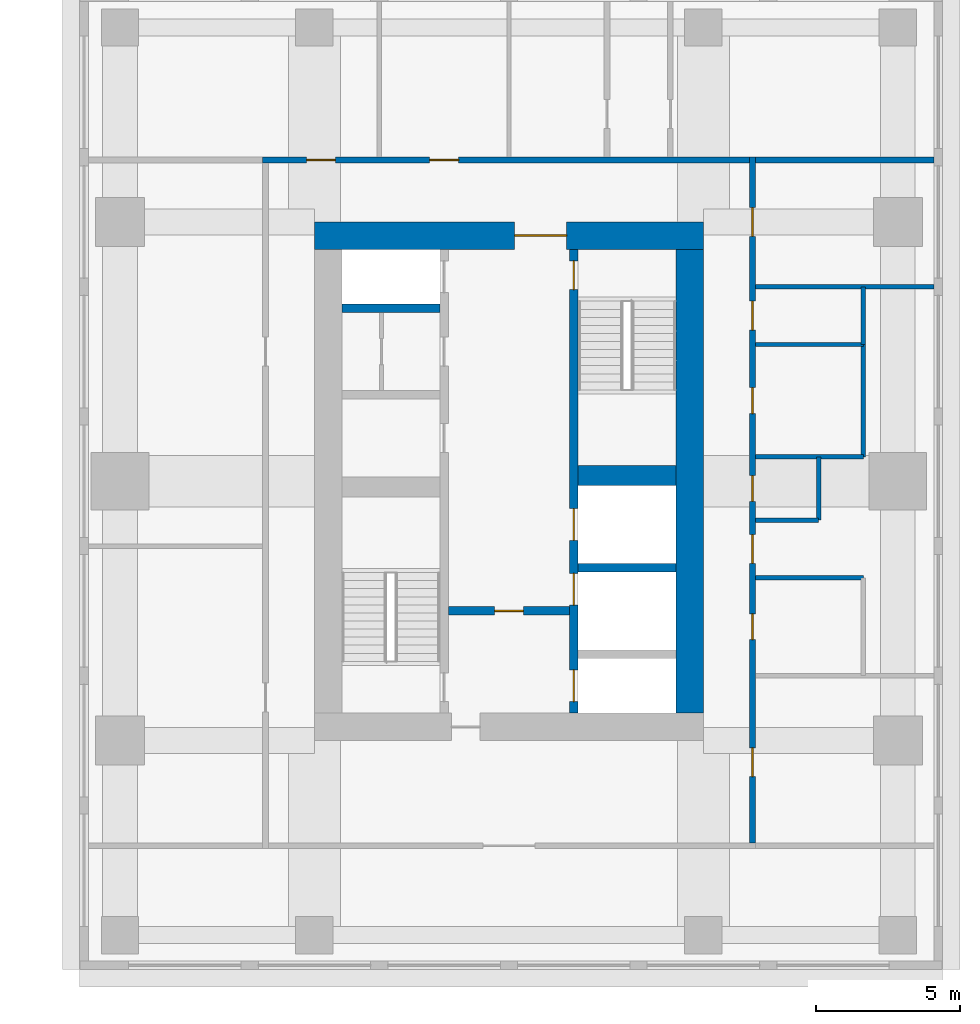
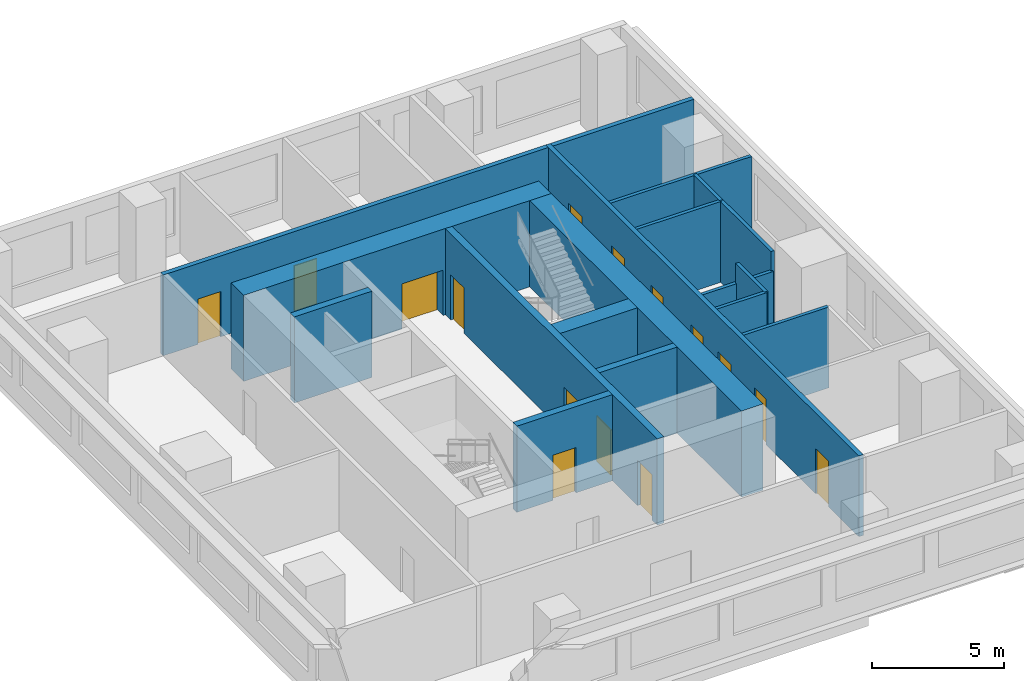
# One storey, part 7 of 11: 18 walls, 15 doors, 15 openings.
"""IFC4 building model written with IfcOpenShell, lengths in metres."""

from ifc_helpers import new_model, si_unit, direction, frame, frame_2d, origin, place, context, subcontext, project, spatial, rectangle, extrude, material, layer, layer_set, type_object, element, fill, save


model = new_model("IFC4")

# Units and contexts
model_context = context("Model", 3, precision=1e-05, world=origin(), true_north=direction((0.0, 1.0)))
body_context = subcontext(model_context, "Body", "Model", "MODEL_VIEW")
ifc_project = project(units=[si_unit("LENGTHUNIT", "METRE"), si_unit("AREAUNIT", "SQUARE_METRE"), si_unit("VOLUMEUNIT", "CUBIC_METRE"), si_unit("PLANEANGLEUNIT", "RADIAN"), si_unit("MASSUNIT", "GRAM", prefix="KILO")], contexts=[model_context])

# Site, building, storey
site_placement = place(None, origin())
site = spatial("IfcSite", under=ifc_project, at=site_placement, CompositionType="ELEMENT")
building_placement = place(site_placement, origin())
building = spatial("IfcBuilding", under=site, at=building_placement, Name="Namib Vertical Campus", CompositionType="ELEMENT")
storey_placement = place(building_placement, frame((0.0, 0.0, 213.0)))
storey = spatial("IfcBuildingStorey", under=building, at=storey_placement, Name="L50", CompositionType="ELEMENT", Elevation=213.0)

# Wall, openings, doors
ifc_material_1 = material(Name="Concrete C60/75", Category="concrete")
ifc_layer_1 = layer(ifc_material_1, 0.300048828125)
ifc_layer_set_1 = layer_set([ifc_layer_1], Name="Concrete C60/75")
wall_type_1 = type_object("IfcWallType", Name="Core inner wall 300", PredefinedType="SHEAR", material=ifc_layer_set_1)
wall_1_placement = place(storey_placement, frame((83.25, 12.199951171875, 0.0), z_axis=(0.0, 0.0, 1.0), x_axis=(0.0, 1.0, 0.0)))
wall_1 = element("IfcWall", 1, at=wall_1_placement, inside=storey, type_object=wall_type_1, Name="Core inner wall B L50 W2", PredefinedType="SHEAR", context=body_context, shape_type="SweptSolid", body=[
    extrude(rectangle(XDim=16.10009765625, YDim=0.300048828125, at=frame_2d((8.050048828125, 0.0))), origin(), (0.0, 0.0, 1.0), 4.0),
])
opening_1_placement = place(wall_1_placement, frame((14.699951171875, 0.0, 0.0)))
opening_1 = element("IfcOpeningElement", 2, at=opening_1_placement, cuts=wall_1, Name="Opening FD1", PredefinedType="OPENING", context=body_context, shape_type="SweptSolid", body=[
    extrude(rectangle(XDim=1.0, YDim=2.10009765625, at=frame_2d((0.5, 1.050048828125))), frame((0.0, 0.159912109375, 0.0), z_axis=(0.0, -1.0, 0.0), x_axis=(1.0, 0.0, 0.0)), (0.0, 0.0, 1.0), 0.320068359375),
])
opening_2_placement = place(wall_1_placement, frame((0.39990234375, 0.0, 0.0)))
opening_2 = element("IfcOpeningElement", 3, at=opening_2_placement, cuts=wall_1, Name="Opening LD1", PredefinedType="OPENING", context=body_context, shape_type="SweptSolid", body=[
    extrude(rectangle(XDim=1.10009765625, YDim=2.10009765625, at=frame_2d((0.550048828125, 1.050048828125))), frame((0.0, 0.159912109375, 0.0), z_axis=(0.0, -1.0, 0.0), x_axis=(1.0, 0.0, 0.0)), (0.0, 0.0, 1.0), 0.320068359375),
])
opening_3_placement = place(wall_1_placement, frame((3.75, 0.0, 0.0)))
opening_3 = element("IfcOpeningElement", 4, at=opening_3_placement, cuts=wall_1, Name="Opening LD1", PredefinedType="OPENING", context=body_context, shape_type="SweptSolid", body=[
    extrude(rectangle(XDim=1.10009765625, YDim=2.10009765625, at=frame_2d((0.550048828125, 1.050048828125))), frame((0.0, 0.159912109375, 0.0), z_axis=(0.0, -1.0, 0.0), x_axis=(1.0, 0.0, 0.0)), (0.0, 0.0, 1.0), 0.320068359375),
])
opening_4_placement = place(wall_1_placement, frame((6.0, 0.0, 0.0)))
opening_4 = element("IfcOpeningElement", 5, at=opening_4_placement, cuts=wall_1, Name="Opening LD1", PredefinedType="OPENING", context=body_context, shape_type="SweptSolid", body=[
    extrude(rectangle(XDim=1.10009765625, YDim=2.10009765625, at=frame_2d((0.550048828125, 1.050048828125))), frame((0.0, 0.159912109375, 0.0), z_axis=(0.0, -1.0, 0.0), x_axis=(1.0, 0.0, 0.0)), (0.0, 0.0, 1.0), 0.320068359375),
])
ifc_material_2 = material(Name="Steel fire door", Category="steel")
door_type_1 = type_object("IfcDoorType", Name="Fire door 1000x2100", OperationType="SINGLE_SWING_RIGHT", PredefinedType="DOOR", material=ifc_material_2)
door_1_placement = place(opening_1_placement, frame((1.0, 0.0, 0.0), z_axis=(0.0, 0.0, 1.0), x_axis=(-1.0, 0.0, 0.0)))
door_1 = element("IfcDoor", 6, at=door_1_placement, inside=storey, type_object=door_type_1, Name="Stair door FD1 B L50 S2", OperationType="SINGLE_SWING_LEFT", OverallHeight=2.10009765625, OverallWidth=1.0, PredefinedType="DOOR", context=body_context, shape_type="SweptSolid", body=[
    extrude(rectangle(XDim=1.0, YDim=2.10009765625, at=frame_2d((0.5, 1.050048828125))), frame((0.0, 0.02490234375, 0.0), z_axis=(0.0, -1.0, 0.0), x_axis=(1.0, 0.0, 0.0)), (0.0, 0.0, 1.0), 0.050048828125),
])
fill(opening_1, door_1)
ifc_material_3 = material(Name="Stainless steel lift door", Category="steel")
door_type_2 = type_object("IfcDoorType", Name="Lift landing door 1100x2100", OperationType="DOUBLE_DOOR_SLIDING", PredefinedType="DOOR", material=ifc_material_3)
door_2_placement = place(opening_2_placement, origin())
door_2 = element("IfcDoor", 7, at=door_2_placement, inside=storey, type_object=door_type_2, Name="Lift landing door LD1 B-FL1 L50", OperationType="DOUBLE_DOOR_SLIDING", OverallHeight=2.10009765625, OverallWidth=1.10009765625, PredefinedType="DOOR", context=body_context, shape_type="SweptSolid", body=[
    extrude(rectangle(XDim=1.10009765625, YDim=2.10009765625, at=frame_2d((0.550048828125, 1.050048828125))), frame((0.0, 0.02490234375, 0.0), z_axis=(0.0, -1.0, 0.0), x_axis=(1.0, 0.0, 0.0)), (0.0, 0.0, 1.0), 0.050048828125),
])
fill(opening_2, door_2)
door_3_placement = place(opening_3_placement, origin())
door_3 = element("IfcDoor", 8, at=door_3_placement, inside=storey, type_object=door_type_2, Name="Lift landing door LD1 B-P4 L50", OperationType="DOUBLE_DOOR_SLIDING", OverallHeight=2.10009765625, OverallWidth=1.10009765625, PredefinedType="DOOR", context=body_context, shape_type="SweptSolid", body=[
    extrude(rectangle(XDim=1.10009765625, YDim=2.10009765625, at=frame_2d((0.550048828125, 1.050048828125))), frame((0.0, 0.02490234375, 0.0), z_axis=(0.0, -1.0, 0.0), x_axis=(1.0, 0.0, 0.0)), (0.0, 0.0, 1.0), 0.050048828125),
])
fill(opening_3, door_3)
door_4_placement = place(opening_4_placement, origin())
door_4 = element("IfcDoor", 9, at=door_4_placement, inside=storey, type_object=door_type_2, Name="Lift landing door LD1 B-P5 L50", OperationType="DOUBLE_DOOR_SLIDING", OverallHeight=2.10009765625, OverallWidth=1.10009765625, PredefinedType="DOOR", context=body_context, shape_type="SweptSolid", body=[
    extrude(rectangle(XDim=1.10009765625, YDim=2.10009765625, at=frame_2d((0.550048828125, 1.050048828125))), frame((0.0, 0.02490234375, 0.0), z_axis=(0.0, -1.0, 0.0), x_axis=(1.0, 0.0, 0.0)), (0.0, 0.0, 1.0), 0.050048828125),
])
fill(opening_4, door_4)

# Wall, opening, door
wall_2_placement = place(storey_placement, frame((78.89990234375, 15.75, 0.0), z_axis=(0.0, 0.0, 1.0), x_axis=(1.0, 0.0, 0.0)))
wall_2 = element("IfcWall", 10, at=wall_2_placement, inside=storey, type_object=wall_type_1, Name="Core inner wall B L50 W4", PredefinedType="SHEAR", context=body_context, shape_type="SweptSolid", body=[
    extrude(rectangle(XDim=4.2001953125, YDim=0.300048828125, at=frame_2d((2.10009765625, 0.0))), origin(), (0.0, 0.0, 1.0), 4.0),
])
opening_5_placement = place(wall_2_placement, frame((1.60009765625, 0.0, 0.0)))
opening_5 = element("IfcOpeningElement", 11, at=opening_5_placement, cuts=wall_2, Name="Opening FD5", PredefinedType="OPENING", context=body_context, shape_type="SweptSolid", body=[
    extrude(rectangle(XDim=1.0, YDim=2.10009765625, at=frame_2d((0.5, 1.050048828125))), frame((0.0, 0.159912109375, 0.0), z_axis=(0.0, -1.0, 0.0), x_axis=(1.0, 0.0, 0.0)), (0.0, 0.0, 1.0), 0.320068359375),
])
ifc_material_4 = material(Name="Steel fire door", Category="steel")
door_type_3 = type_object("IfcDoorType", Name="Fire door 1000x2100 120 min", OperationType="SINGLE_SWING_RIGHT", PredefinedType="DOOR", material=ifc_material_4)
door_5_placement = place(opening_5_placement, frame((1.0, 0.0, 0.0), z_axis=(0.0, 0.0, 1.0), x_axis=(-1.0, 0.0, 0.0)))
door_5 = element("IfcDoor", 12, at=door_5_placement, inside=storey, type_object=door_type_3, Name="Lobby door FD5 B L50", OperationType="SINGLE_SWING_RIGHT", OverallHeight=2.10009765625, OverallWidth=1.0, PredefinedType="DOOR", context=body_context, shape_type="SweptSolid", body=[
    extrude(rectangle(XDim=1.0, YDim=2.10009765625, at=frame_2d((0.5, 1.050048828125))), frame((0.0, 0.02490234375, 0.0), z_axis=(0.0, -1.0, 0.0), x_axis=(1.0, 0.0, 0.0)), (0.0, 0.0, 1.0), 0.050048828125),
])
fill(opening_5, door_5)

# Walls
for number, where, z_axis, x_axis, name in (
    (13, (83.39990234375, 17.25, 0.0), (0.0, 0.0, 1.0), (1.0, 0.0, 0.0), "Core inner wall B L50 W6"),
    (14, (75.199951171875, 26.25, 0.0), (0.0, 0.0, 1.0), (1.0, 0.0, 0.0), "Core inner wall B L50 W9"),
):
    element("IfcWall", number, at=place(storey_placement, frame(where, z_axis=z_axis, x_axis=x_axis)), inside=storey, type_object=wall_type_1, Name=name, PredefinedType="SHEAR", context=body_context, shape_type="SweptSolid", body=[
        extrude(rectangle(XDim=3.400146484375, YDim=0.300048828125, at=frame_2d((1.7001953125, 0.0))), origin(), (0.0, 0.0, 1.0), 4.0),
    ])
ifc_material_5 = material(Name="Concrete C60/75", Category="concrete")
ifc_layer_2 = layer(ifc_material_5, 0.699951171875)
ifc_layer_set_2 = layer_set([ifc_layer_2], Name="Concrete C60/75")
wall_type_2 = type_object("IfcWallType", Name="Core shear wall 700", PredefinedType="SHEAR", material=ifc_layer_set_2)
wall_3_placement = place(storey_placement, frame((83.39990234375, 20.449951171875, 0.0), z_axis=(0.0, 0.0, 1.0), x_axis=(1.0, 0.0, 0.0)))
element("IfcWall", 15, at=wall_3_placement, inside=storey, type_object=wall_type_2, Name="Core shear wall B L50 W7", PredefinedType="SHEAR", context=body_context, shape_type="SweptSolid", body=[
    extrude(rectangle(XDim=3.400146484375, YDim=0.699951171875, at=frame_2d((1.7001953125, 0.0))), origin(), (0.0, 0.0, 1.0), 4.0),
])
ifc_material_6 = material(Name="Concrete C60/75", Category="concrete")
ifc_layer_3 = layer(ifc_material_6, 0.949951171875)
ifc_layer_set_3 = layer_set([ifc_layer_3], Name="Concrete C60/75")
wall_type_3 = type_object("IfcWallType", Name="Core wall 950", PredefinedType="SHEAR", material=ifc_layer_set_3)
wall_4_placement = place(storey_placement, frame((87.27490234375, 12.199951171875, 0.0), z_axis=(0.0, 0.0, 1.0), x_axis=(0.0, 1.0, 0.0)))
element("IfcWall", 16, at=wall_4_placement, inside=storey, type_object=wall_type_3, Name="Core wall B L50 2", PredefinedType="SHEAR", context=body_context, shape_type="SweptSolid", body=[
    extrude(rectangle(XDim=16.10009765625, YDim=0.949951171875, at=frame_2d((8.050048828125, 0.0))), origin(), (0.0, 0.0, 1.0), 4.0),
])

# Wall, opening, door
wall_5_placement = place(storey_placement, frame((87.75, 28.77490234375, 0.0), z_axis=(0.0, 0.0, 1.0), x_axis=(-1.0, 0.0, 0.0)))
wall_5 = element("IfcWall", 17, at=wall_5_placement, inside=storey, type_object=wall_type_3, Name="Core wall B L50 3", PredefinedType="SHEAR", context=body_context, shape_type="SweptSolid", body=[
    extrude(rectangle(XDim=13.5, YDim=0.949951171875, at=frame_2d((6.75, 0.0))), origin(), (0.0, 0.0, 1.0), 4.0),
])
opening_6_placement = place(wall_5_placement, frame((4.75, 0.0, 0.0)))
opening_6 = element("IfcOpeningElement", 18, at=opening_6_placement, cuts=wall_5, Name="Opening FD2", PredefinedType="OPENING", context=body_context, shape_type="SweptSolid", body=[
    extrude(rectangle(XDim=1.800048828125, YDim=2.10009765625, at=frame_2d((0.89990234375, 1.050048828125))), frame((0.0, 0.48486328125, 0.0), z_axis=(0.0, -1.0, 0.0), x_axis=(1.0, 0.0, 0.0)), (0.0, 0.0, 1.0), 0.969970703125),
])
ifc_material_7 = material(Name="Steel fire door", Category="steel")
door_type_4 = type_object("IfcDoorType", Name="Fire door double 1800x2100", OperationType="DOUBLE_DOOR_SINGLE_SWING", PredefinedType="DOOR", material=ifc_material_7)
door_6_placement = place(opening_6_placement, origin())
door_6 = element("IfcDoor", 19, at=door_6_placement, inside=storey, type_object=door_type_4, Name="Lift lobby door FD2 B L50", OperationType="DOUBLE_DOOR_SINGLE_SWING", OverallHeight=2.10009765625, OverallWidth=1.800048828125, PredefinedType="DOOR", context=body_context, shape_type="SweptSolid", body=[
    extrude(rectangle(XDim=1.800048828125, YDim=2.10009765625, at=frame_2d((0.89990234375, 1.050048828125))), frame((0.0, 0.02490234375, 0.0), z_axis=(0.0, -1.0, 0.0), x_axis=(1.0, 0.0, 0.0)), (0.0, 0.0, 1.0), 0.050048828125),
])
fill(opening_6, door_6)

# Wall, openings, doors
ifc_material_8 = material(Name="Concrete masonry", Category="masonry")
ifc_layer_4 = layer(ifc_material_8, 0.199951171875)
ifc_layer_set_4 = layer_set([ifc_layer_4], Name="Corridor wall 200")
wall_type_4 = type_object("IfcWallType", Name="Corridor wall 200", PredefinedType="SOLIDWALL", material=ifc_layer_set_4)
wall_6_placement = place(storey_placement, frame((89.449951171875, 7.699951171875, 0.0), z_axis=(0.0, 0.0, 1.0), x_axis=(0.0, 1.0, 0.0)))
wall_6 = element("IfcWall", 20, at=wall_6_placement, inside=storey, type_object=wall_type_4, Name="Corridor wall B L50 CE", PredefinedType="SOLIDWALL", context=body_context, shape_type="SweptSolid", body=[
    extrude(rectangle(XDim=23.800048828125, YDim=0.199951171875, at=frame_2d((11.89990234375, 0.0))), origin(), (0.0, 0.0, 1.0), 3.75),
])
opening_7_placement = place(wall_6_placement, frame((2.300048828125, 0.0, 0.0)))
opening_7 = element("IfcOpeningElement", 21, at=opening_7_placement, cuts=wall_6, Name="Opening CD1", PredefinedType="OPENING", context=body_context, shape_type="SweptSolid", body=[
    extrude(rectangle(XDim=1.0, YDim=2.10009765625, at=frame_2d((0.5, 1.050048828125))), frame((0.0, 0.10986328125, 0.0), z_axis=(0.0, -1.0, 0.0), x_axis=(1.0, 0.0, 0.0)), (0.0, 0.0, 1.0), 0.219970703125),
])
opening_8_placement = place(wall_6_placement, frame((7.050048828125, 0.0, 0.0)))
opening_8 = element("IfcOpeningElement", 22, at=opening_8_placement, cuts=wall_6, Name="Opening CD3", PredefinedType="OPENING", context=body_context, shape_type="SweptSolid", body=[
    extrude(rectangle(XDim=0.89990234375, YDim=2.10009765625, at=frame_2d((0.449951171875, 1.050048828125))), frame((0.0, 0.10986328125, 0.0), z_axis=(0.0, -1.0, 0.0), x_axis=(1.0, 0.0, 0.0)), (0.0, 0.0, 1.0), 0.219970703125),
])
opening_9_placement = place(wall_6_placement, frame((11.85009765625, 0.0, 0.0)))
opening_9 = element("IfcOpeningElement", 23, at=opening_9_placement, cuts=wall_6, Name="Opening CD3", PredefinedType="OPENING", context=body_context, shape_type="SweptSolid", body=[
    extrude(rectangle(XDim=0.89990234375, YDim=2.10009765625, at=frame_2d((0.449951171875, 1.050048828125))), frame((0.0, 0.10986328125, 0.0), z_axis=(0.0, -1.0, 0.0), x_axis=(1.0, 0.0, 0.0)), (0.0, 0.0, 1.0), 0.219970703125),
])
opening_10_placement = place(wall_6_placement, frame((14.89990234375, 0.0, 0.0)))
opening_10 = element("IfcOpeningElement", 24, at=opening_10_placement, cuts=wall_6, Name="Opening CD3", PredefinedType="OPENING", context=body_context, shape_type="SweptSolid", body=[
    extrude(rectangle(XDim=0.89990234375, YDim=2.10009765625, at=frame_2d((0.449951171875, 1.050048828125))), frame((0.0, 0.10986328125, 0.0), z_axis=(0.0, -1.0, 0.0), x_axis=(1.0, 0.0, 0.0)), (0.0, 0.0, 1.0), 0.219970703125),
])
opening_11_placement = place(wall_6_placement, frame((17.800048828125, 0.0, 0.0)))
opening_11 = element("IfcOpeningElement", 25, at=opening_11_placement, cuts=wall_6, Name="Opening CD1", PredefinedType="OPENING", context=body_context, shape_type="SweptSolid", body=[
    extrude(rectangle(XDim=1.0, YDim=2.10009765625, at=frame_2d((0.5, 1.050048828125))), frame((0.0, 0.10986328125, 0.0), z_axis=(0.0, -1.0, 0.0), x_axis=(1.0, 0.0, 0.0)), (0.0, 0.0, 1.0), 0.219970703125),
])
opening_12_placement = place(wall_6_placement, frame((9.699951171875, 0.0, 0.0)))
opening_12 = element("IfcOpeningElement", 26, at=opening_12_placement, cuts=wall_6, Name="Opening CD1", PredefinedType="OPENING", context=body_context, shape_type="SweptSolid", body=[
    extrude(rectangle(XDim=1.0, YDim=2.10009765625, at=frame_2d((0.5, 1.050048828125))), frame((0.0, 0.10986328125, 0.0), z_axis=(0.0, -1.0, 0.0), x_axis=(1.0, 0.0, 0.0)), (0.0, 0.0, 1.0), 0.219970703125),
])
opening_13_placement = place(wall_6_placement, frame((21.050048828125, 0.0, 0.0)))
opening_13 = element("IfcOpeningElement", 27, at=opening_13_placement, cuts=wall_6, Name="Opening CD1", PredefinedType="OPENING", context=body_context, shape_type="SweptSolid", body=[
    extrude(rectangle(XDim=1.0, YDim=2.10009765625, at=frame_2d((0.5, 1.050048828125))), frame((0.0, 0.10986328125, 0.0), z_axis=(0.0, -1.0, 0.0), x_axis=(1.0, 0.0, 0.0)), (0.0, 0.0, 1.0), 0.219970703125),
])
ifc_material_9 = material(Name="Timber fire door leaf", Category="wood")
door_type_5 = type_object("IfcDoorType", Name="Corridor door 1000x2100 20 min", OperationType="SINGLE_SWING_LEFT", PredefinedType="DOOR", material=ifc_material_9)
door_7_placement = place(opening_7_placement, frame((1.0, 0.0, 0.0), z_axis=(0.0, 0.0, 1.0), x_axis=(-1.0, 0.0, 0.0)))
door_7 = element("IfcDoor", 28, at=door_7_placement, inside=storey, type_object=door_type_5, Name="Door CD1 B50-02", OperationType="SINGLE_SWING_RIGHT", OverallHeight=2.10009765625, OverallWidth=1.0, PredefinedType="DOOR", context=body_context, shape_type="SweptSolid", body=[
    extrude(rectangle(XDim=1.0, YDim=2.10009765625, at=frame_2d((0.5, 1.050048828125))), frame((0.0, 0.02490234375, 0.0), z_axis=(0.0, -1.0, 0.0), x_axis=(1.0, 0.0, 0.0)), (0.0, 0.0, 1.0), 0.050048828125),
])
fill(opening_7, door_7)
door_8_placement = place(opening_11_placement, frame((1.0, 0.0, 0.0), z_axis=(0.0, 0.0, 1.0), x_axis=(-1.0, 0.0, 0.0)))
door_8 = element("IfcDoor", 29, at=door_8_placement, inside=storey, type_object=door_type_5, Name="Door CD1 B50-06", OperationType="SINGLE_SWING_RIGHT", OverallHeight=2.10009765625, OverallWidth=1.0, PredefinedType="DOOR", context=body_context, shape_type="SweptSolid", body=[
    extrude(rectangle(XDim=1.0, YDim=2.10009765625, at=frame_2d((0.5, 1.050048828125))), frame((0.0, 0.02490234375, 0.0), z_axis=(0.0, -1.0, 0.0), x_axis=(1.0, 0.0, 0.0)), (0.0, 0.0, 1.0), 0.050048828125),
])
fill(opening_11, door_8)
door_9_placement = place(opening_12_placement, frame((1.0, 0.0, 0.0), z_axis=(0.0, 0.0, 1.0), x_axis=(-1.0, 0.0, 0.0)))
door_9 = element("IfcDoor", 30, at=door_9_placement, inside=storey, type_object=door_type_5, Name="Door CD1 B50-07", OperationType="SINGLE_SWING_RIGHT", OverallHeight=2.10009765625, OverallWidth=1.0, PredefinedType="DOOR", context=body_context, shape_type="SweptSolid", body=[
    extrude(rectangle(XDim=1.0, YDim=2.10009765625, at=frame_2d((0.5, 1.050048828125))), frame((0.0, 0.02490234375, 0.0), z_axis=(0.0, -1.0, 0.0), x_axis=(1.0, 0.0, 0.0)), (0.0, 0.0, 1.0), 0.050048828125),
])
fill(opening_12, door_9)
door_10_placement = place(opening_13_placement, frame((1.0, 0.0, 0.0), z_axis=(0.0, 0.0, 1.0), x_axis=(-1.0, 0.0, 0.0)))
door_10 = element("IfcDoor", 31, at=door_10_placement, inside=storey, type_object=door_type_5, Name="Door CD1 B50-08", OperationType="SINGLE_SWING_RIGHT", OverallHeight=2.10009765625, OverallWidth=1.0, PredefinedType="DOOR", context=body_context, shape_type="SweptSolid", body=[
    extrude(rectangle(XDim=1.0, YDim=2.10009765625, at=frame_2d((0.5, 1.050048828125))), frame((0.0, 0.02490234375, 0.0), z_axis=(0.0, -1.0, 0.0), x_axis=(1.0, 0.0, 0.0)), (0.0, 0.0, 1.0), 0.050048828125),
])
fill(opening_13, door_10)
ifc_material_10 = material(Name="Timber fire door leaf", Category="wood")
door_type_6 = type_object("IfcDoorType", Name="Corridor toilet door 900x2100 20 min", OperationType="SINGLE_SWING_LEFT", PredefinedType="DOOR", material=ifc_material_10)
door_11_placement = place(opening_8_placement, frame((0.89990234375, 0.0, 0.0), z_axis=(0.0, 0.0, 1.0), x_axis=(-1.0, 0.0, 0.0)))
door_11 = element("IfcDoor", 32, at=door_11_placement, inside=storey, type_object=door_type_6, Name="Door CD3 B50-03", OperationType="SINGLE_SWING_RIGHT", OverallHeight=2.10009765625, OverallWidth=0.89990234375, PredefinedType="DOOR", context=body_context, shape_type="SweptSolid", body=[
    extrude(rectangle(XDim=0.89990234375, YDim=2.10009765625, at=frame_2d((0.449951171875, 1.050048828125))), frame((0.0, 0.02490234375, 0.0), z_axis=(0.0, -1.0, 0.0), x_axis=(1.0, 0.0, 0.0)), (0.0, 0.0, 1.0), 0.050048828125),
])
fill(opening_8, door_11)
door_12_placement = place(opening_9_placement, frame((0.89990234375, 0.0, 0.0), z_axis=(0.0, 0.0, 1.0), x_axis=(-1.0, 0.0, 0.0)))
door_12 = element("IfcDoor", 33, at=door_12_placement, inside=storey, type_object=door_type_6, Name="Door CD3 B50-04", OperationType="SINGLE_SWING_RIGHT", OverallHeight=2.10009765625, OverallWidth=0.89990234375, PredefinedType="DOOR", context=body_context, shape_type="SweptSolid", body=[
    extrude(rectangle(XDim=0.89990234375, YDim=2.10009765625, at=frame_2d((0.449951171875, 1.050048828125))), frame((0.0, 0.02490234375, 0.0), z_axis=(0.0, -1.0, 0.0), x_axis=(1.0, 0.0, 0.0)), (0.0, 0.0, 1.0), 0.050048828125),
])
fill(opening_9, door_12)
door_13_placement = place(opening_10_placement, frame((0.89990234375, 0.0, 0.0), z_axis=(0.0, 0.0, 1.0), x_axis=(-1.0, 0.0, 0.0)))
door_13 = element("IfcDoor", 34, at=door_13_placement, inside=storey, type_object=door_type_6, Name="Door CD3 B50-05", OperationType="SINGLE_SWING_RIGHT", OverallHeight=2.10009765625, OverallWidth=0.89990234375, PredefinedType="DOOR", context=body_context, shape_type="SweptSolid", body=[
    extrude(rectangle(XDim=0.89990234375, YDim=2.10009765625, at=frame_2d((0.449951171875, 1.050048828125))), frame((0.0, 0.02490234375, 0.0), z_axis=(0.0, -1.0, 0.0), x_axis=(1.0, 0.0, 0.0)), (0.0, 0.0, 1.0), 0.050048828125),
])
fill(opening_10, door_13)

wall_7_placement = place(storey_placement, frame((89.35009765625, 31.39990234375, 0.0), z_axis=(0.0, 0.0, 1.0), x_axis=(-1.0, 0.0, 0.0)))
wall_7 = element("IfcWall", 35, at=wall_7_placement, inside=storey, type_object=wall_type_4, Name="Corridor wall B L50 CN", PredefinedType="SOLIDWALL", context=body_context, shape_type="SweptSolid", body=[
    extrude(rectangle(XDim=16.900146484375, YDim=0.199951171875, at=frame_2d((8.4501953125, 0.0))), origin(), (0.0, 0.0, 1.0), 3.75),
])
opening_14_placement = place(wall_7_placement, frame((14.375, 0.0, 0.0)))
opening_14 = element("IfcOpeningElement", 36, at=opening_14_placement, cuts=wall_7, Name="Opening CD1", PredefinedType="OPENING", context=body_context, shape_type="SweptSolid", body=[
    extrude(rectangle(XDim=1.0, YDim=2.10009765625, at=frame_2d((0.5, 1.050048828125))), frame((0.0, 0.10986328125, 0.0), z_axis=(0.0, -1.0, 0.0), x_axis=(1.0, 0.0, 0.0)), (0.0, 0.0, 1.0), 0.219970703125),
])
opening_15_placement = place(wall_7_placement, frame((10.10009765625, 0.0, 0.0)))
opening_15 = element("IfcOpeningElement", 37, at=opening_15_placement, cuts=wall_7, Name="Opening CD1", PredefinedType="OPENING", context=body_context, shape_type="SweptSolid", body=[
    extrude(rectangle(XDim=1.0, YDim=2.10009765625, at=frame_2d((0.5, 1.050048828125))), frame((0.0, 0.10986328125, 0.0), z_axis=(0.0, -1.0, 0.0), x_axis=(1.0, 0.0, 0.0)), (0.0, 0.0, 1.0), 0.219970703125),
])
door_14_placement = place(opening_14_placement, frame((1.0, 0.0, 0.0), z_axis=(0.0, 0.0, 1.0), x_axis=(-1.0, 0.0, 0.0)))
door_14 = element("IfcDoor", 38, at=door_14_placement, inside=storey, type_object=door_type_5, Name="Door CD1 B50-09", OperationType="SINGLE_SWING_RIGHT", OverallHeight=2.10009765625, OverallWidth=1.0, PredefinedType="DOOR", context=body_context, shape_type="SweptSolid", body=[
    extrude(rectangle(XDim=1.0, YDim=2.10009765625, at=frame_2d((0.5, 1.050048828125))), frame((0.0, 0.02490234375, 0.0), z_axis=(0.0, -1.0, 0.0), x_axis=(1.0, 0.0, 0.0)), (0.0, 0.0, 1.0), 0.050048828125),
])
fill(opening_14, door_14)
door_15_placement = place(opening_15_placement, frame((1.0, 0.0, 0.0), z_axis=(0.0, 0.0, 1.0), x_axis=(-1.0, 0.0, 0.0)))
door_15 = element("IfcDoor", 39, at=door_15_placement, inside=storey, type_object=door_type_5, Name="Door CD1 B50-10", OperationType="SINGLE_SWING_RIGHT", OverallHeight=2.10009765625, OverallWidth=1.0, PredefinedType="DOOR", context=body_context, shape_type="SweptSolid", body=[
    extrude(rectangle(XDim=1.0, YDim=2.10009765625, at=frame_2d((0.5, 1.050048828125))), frame((0.0, 0.02490234375, 0.0), z_axis=(0.0, -1.0, 0.0), x_axis=(1.0, 0.0, 0.0)), (0.0, 0.0, 1.0), 0.050048828125),
])
fill(opening_15, door_15)

# Walls
wall_8_placement = place(storey_placement, frame((89.550048828125, 31.39990234375, 0.0), z_axis=(0.0, 0.0, 1.0), x_axis=(1.0, 0.0, 0.0)))
element("IfcWall", 40, at=wall_8_placement, inside=storey, type_object=wall_type_4, Name="Partition B L50 BNE", PredefinedType="SOLIDWALL", context=body_context, shape_type="SweptSolid", body=[
    extrude(rectangle(XDim=6.199951171875, YDim=0.199951171875, at=frame_2d((3.10009765625, 0.0))), origin(), (0.0, 0.0, 1.0), 3.75),
])
ifc_material_11 = material(Name="Gypsum board on steel studs", Category="steel")
ifc_layer_5 = layer(ifc_material_11, 0.14990234375)
ifc_layer_set_5 = layer_set([ifc_layer_5], Name="Gypsum board on steel studs")
wall_type_5 = type_object("IfcWallType", Name="Partition 150", PredefinedType="PARTITIONING", material=ifc_layer_set_5)
wall_9_placement = place(storey_placement, frame((89.550048828125, 27.0, 0.0), z_axis=(0.0, 0.0, 1.0), x_axis=(1.0, 0.0, 0.0)))
element("IfcWall", 41, at=wall_9_placement, inside=storey, type_object=wall_type_5, Name="Partition B L50 PE2", PredefinedType="PARTITIONING", context=body_context, shape_type="SweptSolid", body=[
    extrude(rectangle(XDim=6.199951171875, YDim=0.14990234375, at=frame_2d((3.10009765625, 0.0))), origin(), (0.0, 0.0, 1.0), 3.75),
])
wall_10_placement = place(storey_placement, frame((89.550048828125, 16.89990234375, 0.0), z_axis=(0.0, 0.0, 1.0), x_axis=(1.0, 0.0, 0.0)))
element("IfcWall", 42, at=wall_10_placement, inside=storey, type_object=wall_type_5, Name="Partition B L50 WR1", PredefinedType="PARTITIONING", context=body_context, shape_type="SweptSolid", body=[
    extrude(rectangle(XDim=3.75, YDim=0.14990234375, at=frame_2d((1.875, 0.0))), origin(), (0.0, 0.0, 1.0), 3.75),
])
wall_11_placement = place(storey_placement, frame((89.550048828125, 18.89990234375, 0.0), z_axis=(0.0, 0.0, 1.0), x_axis=(1.0, 0.0, 0.0)))
element("IfcWall", 43, at=wall_11_placement, inside=storey, type_object=wall_type_5, Name="Partition B L50 WR2", PredefinedType="PARTITIONING", context=body_context, shape_type="SweptSolid", body=[
    extrude(rectangle(XDim=2.199951171875, YDim=0.14990234375, at=frame_2d((1.10009765625, 0.0))), origin(), (0.0, 0.0, 1.0), 3.75),
])
wall_12_placement = place(storey_placement, frame((89.550048828125, 21.10009765625, 0.0), z_axis=(0.0, 0.0, 1.0), x_axis=(1.0, 0.0, 0.0)))
element("IfcWall", 44, at=wall_12_placement, inside=storey, type_object=wall_type_5, Name="Partition B L50 WR3", PredefinedType="PARTITIONING", context=body_context, shape_type="SweptSolid", body=[
    extrude(rectangle(XDim=3.75, YDim=0.14990234375, at=frame_2d((1.875, 0.0))), origin(), (0.0, 0.0, 1.0), 2.85009765625),
])
wall_13_placement = place(storey_placement, frame((89.550048828125, 25.0, 0.0), z_axis=(0.0, 0.0, 1.0), x_axis=(1.0, 0.0, 0.0)))
element("IfcWall", 45, at=wall_13_placement, inside=storey, type_object=wall_type_5, Name="Partition B L50 WR4", PredefinedType="PARTITIONING", context=body_context, shape_type="SweptSolid", body=[
    extrude(rectangle(XDim=3.75, YDim=0.14990234375, at=frame_2d((1.875, 0.0))), origin(), (0.0, 0.0, 1.0), 3.75),
])
wall_14_placement = place(storey_placement, frame((91.75, 18.89990234375, 0.0), z_axis=(0.0, 0.0, 1.0), x_axis=(0.0, 1.0, 0.0)))
element("IfcWall", 46, at=wall_14_placement, inside=storey, type_object=wall_type_5, Name="Partition B L50 WB2", PredefinedType="PARTITIONING", context=body_context, shape_type="SweptSolid", body=[
    extrude(rectangle(XDim=2.2001953125, YDim=0.14990234375, at=frame_2d((1.10009765625, 0.0))), origin(), (0.0, 0.0, 1.0), 3.75),
])
wall_15_placement = place(storey_placement, frame((93.300048828125, 21.10009765625, 0.0), z_axis=(0.0, 0.0, 1.0), x_axis=(0.0, 1.0, 0.0)))
element("IfcWall", 47, at=wall_15_placement, inside=storey, type_object=wall_type_5, Name="Partition B L50 WB3", PredefinedType="PARTITIONING", context=body_context, shape_type="SweptSolid", body=[
    extrude(rectangle(XDim=3.89990234375, YDim=0.14990234375, at=frame_2d((1.949951171875, 0.0))), origin(), (0.0, 0.0, 1.0), 3.75),
])
wall_16_placement = place(storey_placement, frame((93.300048828125, 25.0, 0.0), z_axis=(0.0, 0.0, 1.0), x_axis=(0.0, 1.0, 0.0)))
element("IfcWall", 48, at=wall_16_placement, inside=storey, type_object=wall_type_5, Name="Partition B L50 WB4", PredefinedType="PARTITIONING", context=body_context, shape_type="SweptSolid", body=[
    extrude(rectangle(XDim=2.0, YDim=0.14990234375, at=frame_2d((1.0, 0.0))), origin(), (0.0, 0.0, 1.0), 3.75),
])

save(model, "model.ifc")
